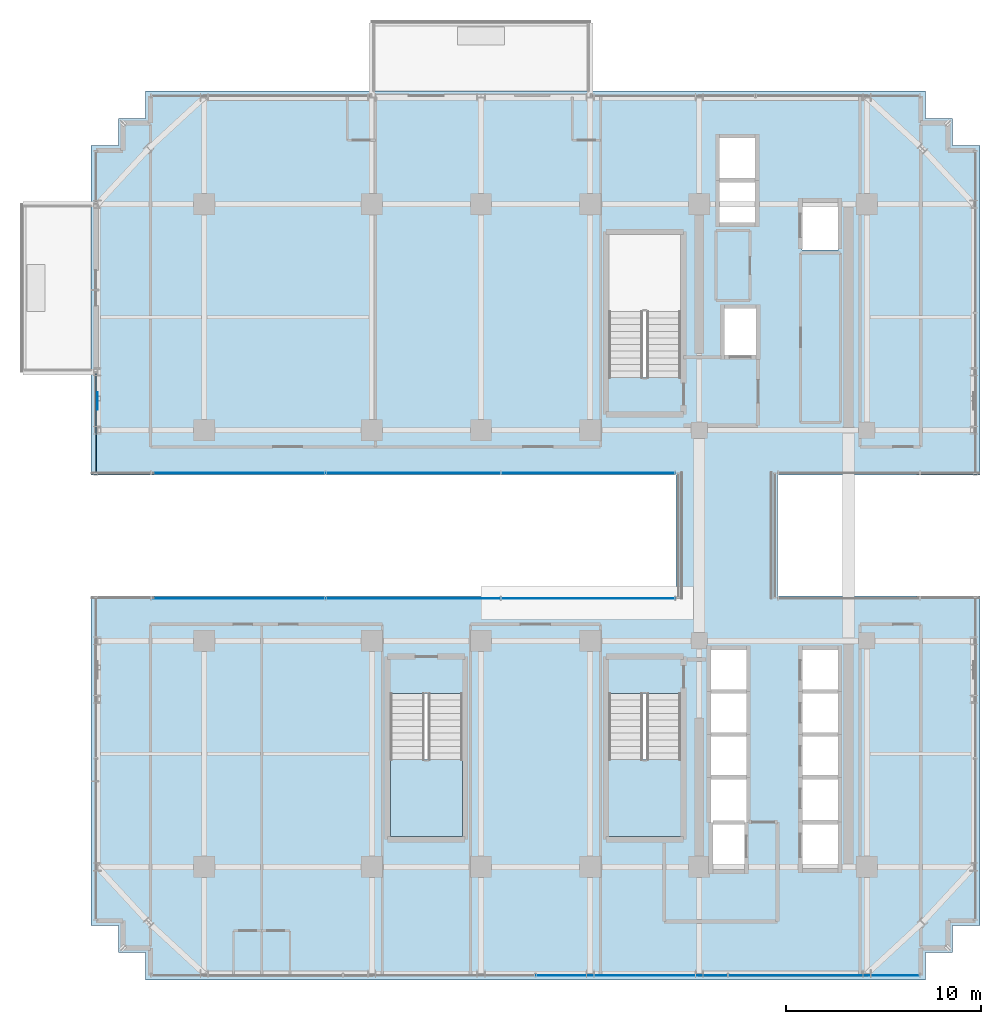
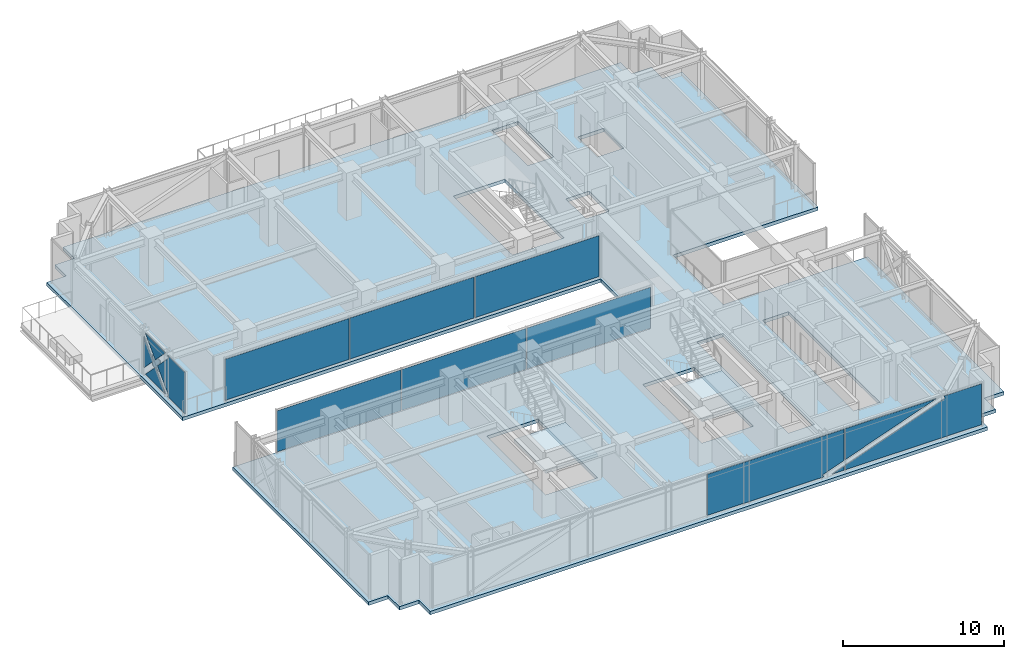
# One storey, part 31 of 43: 10 plates, 3 slabs, 6 elements without a shape of their own.
"""IFC4 building model written with IfcOpenShell, lengths in metres."""

from ifc_helpers import new_model, si_unit, direction, frame, origin, origin_2d, place, context, subcontext, project, spatial, polyline, rectangle, outline, extrude, source, transform, mapped, material, layer, layer_set, type_object, element, aggregate, save


model = new_model("IFC4")

# Units and contexts
model_context = context("Model", 3, precision=1e-05, world=origin(), true_north=direction((0.0, 1.0)))
body_context = subcontext(model_context, "Body", "Model", "MODEL_VIEW")
ifc_project = project(units=[si_unit("LENGTHUNIT", "METRE"), si_unit("AREAUNIT", "SQUARE_METRE"), si_unit("VOLUMEUNIT", "CUBIC_METRE"), si_unit("PLANEANGLEUNIT", "RADIAN"), si_unit("MASSUNIT", "GRAM", prefix="KILO")], contexts=[model_context])

# Site, building, storey
site_placement = place(None, origin())
site = spatial("IfcSite", under=ifc_project, at=site_placement, CompositionType="ELEMENT")
building_placement = place(site_placement, origin())
building = spatial("IfcBuilding", under=site, at=building_placement, Name="Nahalor Promenade Grand Hotel", CompositionType="ELEMENT")
storey_placement = place(building_placement, frame((0.0, 0.0, 181.85009765625)))
storey = spatial("IfcBuildingStorey", under=building, at=storey_placement, Name="L46", CompositionType="ELEMENT", Elevation=181.85009765625)

# Curtain wall, plates
ifc_material_1 = material(Name="Anodised Bronze Aluminium EN AW-6063 T6", Category="aluminium")
curtain_wall_type = type_object("IfcCurtainWallType", Name="CW3 Elliptical-Void Collar Unitised Curtain Wall", PredefinedType="USERDEFINED", material=ifc_material_1)
curtain_wall_1_placement = place(storey_placement, origin())
curtain_wall_1 = element("IfcCurtainWall", 1, at=curtain_wall_1_placement, inside=storey, type_object=curtain_wall_type, Name="L46 Curtain Wall CW-L46-S-1", ObjectType="UNITISED_CURTAIN_WALL", PredefinedType="USERDEFINED")
ifc_material_2 = material(Name="Low-E Laminated Solar Glass", Category="glass")
ifc_layer_1 = layer(ifc_material_2, 0.030029296875)
ifc_layer_set_1 = layer_set([ifc_layer_1], Name="Low-E Laminated Solar Glass")
plate_type_1 = type_object("IfcPlateType", Name="CWP3 High-Wind Laminated Bronze IGU 30mm", PredefinedType="CURTAIN_PANEL", material=ifc_layer_set_1)
plate_1_placement = place(storey_placement, frame((4.93994140625, -22.56005859375, 0.1396484375), z_axis=(0.0, 0.0, 1.0), x_axis=(1.0, 0.0, 0.0)))
plate_1 = element("IfcPlate", 2, at=plate_1_placement, type_object=plate_type_1, Name="CW-L46-S-1 Glazing Panel 2-0", PredefinedType="CURTAIN_PANEL", context=body_context, shape_type="SweptSolid", body=[
    extrude(outline(polyline([(-4.905029296875, 3.110107421875), (-4.905029296875, 0.0), (3.43701171875, 0.0), (3.368896484375, 0.189697265625), (4.905029296875, 0.74169921875), (4.905029296875, 3.110107421875), (-4.905029296875, 3.110107421875)])), frame((0.0, 0.01513671875, 0.0), z_axis=(0.0, -1.0, 0.0), x_axis=(1.0, 0.0, 0.0)), (0.0, 0.0, 1.0), 0.030029296875),
    extrude(outline(polyline([(4.023681640625, 0.0), (4.905029296875, 0.0), (4.905029296875, 0.316650390625), (4.023681640625, 0.0)])), frame((0.0, 0.01513671875, 0.0), z_axis=(0.0, -1.0, 0.0), x_axis=(1.0, 0.0, 0.0)), (0.0, 0.0, 1.0), 0.030029296875),
])
plate_2_placement = place(storey_placement, frame((14.802490234375, -22.56005859375, 0.1396484375), z_axis=(0.0, 0.0, 1.0), x_axis=(1.0, 0.0, 0.0)))
plate_2 = element("IfcPlate", 3, at=plate_2_placement, type_object=plate_type_1, Name="CW-L46-S-1 Glazing Panel 3-0", PredefinedType="CURTAIN_PANEL", context=body_context, shape_type="SweptSolid", body=[
    extrude(outline(polyline([(4.887451171875, 0.0), (4.887451171875, 3.110107421875), (2.220458984375, 3.110107421875), (2.28857421875, 2.920166015625), (-4.887451171875, 0.341796875), (-4.887451171875, 0.0), (4.887451171875, 0.0)])), frame((0.0, 0.01513671875, 0.0), z_axis=(0.0, -1.0, 0.0), x_axis=(1.0, 0.0, 0.0)), (0.0, 0.0, 1.0), 0.030029296875),
    extrude(outline(polyline([(1.6337890625, 3.110107421875), (-4.887451171875, 3.110107421875), (-4.887451171875, 0.766845703125), (1.6337890625, 3.110107421875)])), frame((0.0, 0.01513671875, 0.0), z_axis=(0.0, -1.0, 0.0), x_axis=(1.0, 0.0, 0.0)), (0.0, 0.0, 1.0), 0.030029296875),
])
aggregate(curtain_wall_1, [plate_1, plate_2])

# Curtain wall, plate
curtain_wall_2_placement = place(storey_placement, origin())
curtain_wall_2 = element("IfcCurtainWall", 4, at=curtain_wall_2_placement, inside=storey, type_object=curtain_wall_type, Name="L46 Curtain Wall CW-L46-W-2", ObjectType="UNITISED_CURTAIN_WALL", PredefinedType="USERDEFINED")
plate_3_placement = place(storey_placement, frame((-22.56005859375, 5.75, 0.1396484375), z_axis=(0.0, 0.0, 1.0), x_axis=(0.0, 1.0, 0.0)))
plate_3 = element("IfcPlate", 5, at=plate_3_placement, type_object=plate_type_1, Name="CW-L46-W-2 Glazing Panel 0-0", PredefinedType="CURTAIN_PANEL", context=body_context, shape_type="SweptSolid", body=[
    extrude(outline(polyline([(-2.580078125, 3.110107421875), (-2.580078125, 0.0), (-0.37548828125, 0.0), (-0.510986328125, 0.13134765625), (0.871337890625, 1.554931640625), (-0.510986328125, 2.978515625), (-0.37548828125, 3.110107421875), (-2.580078125, 3.110107421875)])), frame((0.0, 0.01513671875, 0.0), z_axis=(0.0, -1.0, 0.0), x_axis=(1.0, 0.0, 0.0)), (0.0, 0.0, 1.0), 0.030029296875),
    extrude(outline(polyline([(1.14990234375, 1.267822265625), (-0.0810546875, 0.0), (2.380859375, 0.0), (1.14990234375, 1.267822265625)])), frame((0.0, 0.01513671875, 0.0), z_axis=(0.0, -1.0, 0.0), x_axis=(1.0, 0.0, 0.0)), (0.0, 0.0, 1.0), 0.030029296875),
    extrude(outline(polyline([(1.14990234375, 1.842041015625), (2.380859375, 3.110107421875), (-0.0810546875, 3.110107421875), (1.14990234375, 1.842041015625)])), frame((0.0, 0.01513671875, 0.0), z_axis=(0.0, -1.0, 0.0), x_axis=(1.0, 0.0, 0.0)), (0.0, 0.0, 1.0), 0.030029296875),
    extrude(outline(polyline([(1.4287109375, 1.554931640625), (2.580078125, 0.369140625), (2.580078125, 2.74072265625), (1.4287109375, 1.554931640625)])), frame((0.0, 0.01513671875, 0.0), z_axis=(0.0, -1.0, 0.0), x_axis=(1.0, 0.0, 0.0)), (0.0, 0.0, 1.0), 0.030029296875),
])
aggregate(curtain_wall_2, [plate_3])

# Stair, slab
ifc_material_3 = material(Name="Concrete B-50 (C40/50)", Category="concrete")
stair_type_1 = type_object("IfcStairType", Name="Stair-ST2", PredefinedType="HALF_TURN_STAIR", material=ifc_material_3)
stair_1_placement = place(storey_placement, origin())
stair_1 = element("IfcStair", 6, at=stair_1_placement, inside=storey, type_object=stair_type_1, Name="L46 ST2", PredefinedType="HALF_TURN_STAIR")
ifc_layer_2 = layer(ifc_material_3, 0.2099609375)
ifc_layer_set_2 = layer_set([ifc_layer_2], Name="Concrete B-50 (C40/50)")
slab_type_1 = type_object("IfcSlabType", Name="Landing-ST2", PredefinedType="LANDING", material=ifc_layer_set_2)
slab_1_placement = place(storey_placement, frame((0.0, 0.0, 1.614990234375)))
slab_1 = element("IfcSlab", 7, at=slab_1_placement, type_object=slab_type_1, Name="ST2 landing 1", PredefinedType="LANDING", context=body_context, shape_type="SweptSolid", body=[
    extrude(outline(polyline([(3.75, -11.5), (3.75, -15.449951171875), (7.449951171875, -15.449951171875), (7.449951171875, -11.5), (3.75, -11.5)])), origin(), (0.0, 0.0, 1.0), 0.2099609375),
])
aggregate(stair_1, [slab_1])

stair_type_2 = type_object("IfcStairType", Name="Stair-ST3", PredefinedType="HALF_TURN_STAIR", material=ifc_material_3)
stair_2_placement = place(storey_placement, origin())
stair_2 = element("IfcStair", 8, at=stair_2_placement, inside=storey, type_object=stair_type_2, Name="L46 ST3", PredefinedType="HALF_TURN_STAIR")
ifc_layer_3 = layer(ifc_material_3, 0.219970703125)
ifc_layer_set_3 = layer_set([ifc_layer_3], Name="Concrete B-50 (C40/50)")
slab_type_2 = type_object("IfcSlabType", Name="Landing-ST3", PredefinedType="LANDING", material=ifc_layer_set_3)
slab_2_placement = place(storey_placement, frame((0.0, 0.0, 1.60498046875)))
slab_2 = element("IfcSlab", 9, at=slab_2_placement, type_object=slab_type_2, Name="ST3 landing 1", PredefinedType="LANDING", context=body_context, shape_type="SweptSolid", body=[
    extrude(outline(polyline([(-7.449951171875, -11.5), (-7.449951171875, -15.449951171875), (-3.75, -15.449951171875), (-3.75, -11.5), (-7.449951171875, -11.5)])), origin(), (0.0, 0.0, 1.0), 0.219970703125),
])
aggregate(stair_2, [slab_2])

# Slab
ifc_layer_4 = layer(ifc_material_3, 0.260009765625)
ifc_layer_set_4 = layer_set([ifc_layer_4], Name="Concrete B-50 (C40/50)")
slab_type_3 = type_object("IfcSlabType", Name="Slab-TowerZ3-260", PredefinedType="FLOOR", material=ifc_layer_set_4)
slab_3_placement = place(storey_placement, frame((0.0, 0.0, -0.260009765625)))
element("IfcSlab", 10, at=slab_3_placement, inside=storey, type_object=slab_type_3, Name="L46 Suspended Structural Floor Slab", PredefinedType="FLOOR", context=body_context, shape_type="SweptSolid", body=[
    extrude(outline(polyline([(-20.0, -22.800048828125), (20.0, -22.800048828125), (20.0, -21.39990234375), (21.39990234375, -21.39990234375), (21.39990234375, -20.0), (22.800048828125, -20.0), (22.800048828125, -3.10009765625), (12.39990234375, -3.10009765625), (12.39990234375, 3.10009765625), (22.800048828125, 3.10009765625), (22.800048828125, 20.0), (21.39990234375, 20.0), (21.39990234375, 21.39990234375), (20.0, 21.39990234375), (20.0, 22.800048828125), (-20.0, 22.800048828125), (-20.0, 21.39990234375), (-21.39990234375, 21.39990234375), (-21.39990234375, 20.0), (-22.800048828125, 20.0), (-22.800048828125, 3.10009765625), (7.199951171875, 3.10009765625), (7.199951171875, -3.10009765625), (-22.800048828125, -3.10009765625), (-22.800048828125, -20.0), (-21.39990234375, -20.0), (-21.39990234375, -21.39990234375), (-20.0, -21.39990234375), (-20.0, -22.800048828125)]), holes=[polyline([(3.75, 8.10009765625), (7.449951171875, 8.10009765625), (7.449951171875, 15.449951171875), (3.75, 15.449951171875), (3.75, 8.10009765625)]), polyline([(3.75, -15.449951171875), (7.449951171875, -15.449951171875), (7.449951171875, -8.10009765625), (3.75, -8.10009765625), (3.75, -15.449951171875)]), polyline([(-7.449951171875, -15.449951171875), (-3.75, -15.449951171875), (-3.75, -8.10009765625), (-7.449951171875, -8.10009765625), (-7.449951171875, -15.449951171875)]), polyline([(13.659912109375, -17.139892578125), (15.5400390625, -17.139892578125), (15.5400390625, -5.81005859375), (13.659912109375, -5.81005859375), (13.659912109375, -17.139892578125)]), polyline([(8.9599609375, -17.18994140625), (10.840087890625, -17.18994140625), (10.840087890625, -5.81005859375), (8.9599609375, -5.81005859375), (8.9599609375, -17.18994140625)]), polyline([(9.409912109375, 16.010009765625), (11.2900390625, 16.010009765625), (11.2900390625, 20.43994140625), (9.409912109375, 20.43994140625), (9.409912109375, 16.010009765625)]), polyline([(9.659912109375, 9.2099609375), (11.340087890625, 9.2099609375), (11.340087890625, 11.68994140625), (9.659912109375, 11.68994140625), (9.659912109375, 9.2099609375)]), polyline([(13.659912109375, 14.659912109375), (15.5400390625, 14.659912109375), (15.5400390625, 17.139892578125), (13.659912109375, 17.139892578125), (13.659912109375, 14.659912109375)])]), origin(), (0.0, 0.0, 1.0), 0.260009765625),
])

# Plate
ifc_material_4 = material(Name="Steel S355J2", Category="steel")
ifc_layer_5 = layer(ifc_material_4, 0.035888671875)
ifc_layer_set_5 = layer_set([ifc_layer_5], Name="Steel S355J2")
plate_type_2 = type_object("IfcPlateType", Name="Plate-CrossGusset-36", PredefinedType="USERDEFINED", material=ifc_layer_set_5)
shared_shape_1 = source(origin(), body_context, "Body", "SweptSolid", [
    extrude(rectangle(XDim=0.89990234375, YDim=0.035888671875, at=origin_2d()), origin(), (0.0, 0.0, 1.0), 0.89990234375),
])
plate_4_placement = place(storey_placement, frame((-22.47998046875, 6.89990234375, 1.244873046875), z_axis=(0.0, 0.0, 1.0), x_axis=(0.0, 1.0, 0.0)))
element("IfcPlate", 11, at=plate_4_placement, inside=storey, type_object=plate_type_2, Name="PL-L46-VXX-W1", ObjectType="GUSSET_PLATE", PredefinedType="USERDEFINED", context=body_context, shape_type="MappedRepresentation", body=[
    mapped(shared_shape_1, transform((0.0, 0.0, 0.0), scale=1.0)),
])

# Curtain wall, plates
curtain_wall_3_placement = place(storey_placement, origin())
curtain_wall_3 = element("IfcCurtainWall", 12, at=curtain_wall_3_placement, inside=storey, type_object=curtain_wall_type, Name="L46 Curtain Wall CW-L46-VOID-WS1", ObjectType="UNITISED_CURTAIN_WALL", PredefinedType="USERDEFINED")
shared_shape_2 = source(origin(), body_context, "Body", "SweptSolid", [
    extrude(rectangle(XDim=8.881591796875, YDim=0.030029296875, at=origin_2d()), origin(), (0.0, 0.0, 1.0), 3.110107421875),
])
plate_5_placement = place(storey_placement, frame((-15.249267578125, -3.219970703125, 0.1396484375), z_axis=(0.0, 0.0, 1.0), x_axis=(1.0, 0.0, 0.0)))
plate_5 = element("IfcPlate", 13, at=plate_5_placement, type_object=plate_type_1, Name="CW-L46-VOID-WS1 Glazing Panel 0-0", PredefinedType="CURTAIN_PANEL", context=body_context, shape_type="MappedRepresentation", body=[
    mapped(shared_shape_2, transform((0.0, 0.0, 0.0), scale=1.0)),
])
plate_6_placement = place(storey_placement, frame((2.689208984375, -3.219970703125, 0.1396484375), z_axis=(0.0, 0.0, 1.0), x_axis=(1.0, 0.0, 0.0)))
plate_6 = element("IfcPlate", 14, at=plate_6_placement, type_object=plate_type_1, Name="CW-L46-VOID-WS1 Glazing Panel 2-0", PredefinedType="CURTAIN_PANEL", context=body_context, shape_type="MappedRepresentation", body=[
    mapped(shared_shape_2, transform((0.0, 0.0, 0.0), scale=1.0)),
])

curtain_wall_4_placement = place(storey_placement, origin())
curtain_wall_4 = element("IfcCurtainWall", 15, at=curtain_wall_4_placement, inside=storey, type_object=curtain_wall_type, Name="L46 Curtain Wall CW-L46-VOID-WN1", ObjectType="UNITISED_CURTAIN_WALL", PredefinedType="USERDEFINED")
plate_7_placement = place(storey_placement, frame((-15.249267578125, 3.219970703125, 0.1396484375), z_axis=(0.0, 0.0, 1.0), x_axis=(1.0, 0.0, 0.0)))
plate_7 = element("IfcPlate", 16, at=plate_7_placement, type_object=plate_type_1, Name="CW-L46-VOID-WN1 Glazing Panel 0-0", PredefinedType="CURTAIN_PANEL", context=body_context, shape_type="MappedRepresentation", body=[
    mapped(shared_shape_2, transform((0.0, 0.0, 0.0), scale=1.0)),
])
plate_8_placement = place(storey_placement, frame((2.689208984375, 3.219970703125, 0.1396484375), z_axis=(0.0, 0.0, 1.0), x_axis=(1.0, 0.0, 0.0)))
plate_8 = element("IfcPlate", 17, at=plate_8_placement, type_object=plate_type_1, Name="CW-L46-VOID-WN1 Glazing Panel 2-0", PredefinedType="CURTAIN_PANEL", context=body_context, shape_type="MappedRepresentation", body=[
    mapped(shared_shape_2, transform((0.0, 0.0, 0.0), scale=1.0)),
])

# Plate
shared_shape_3 = source(origin(), body_context, "Body", "SweptSolid", [
    extrude(rectangle(XDim=8.916748046875, YDim=0.030029296875, at=origin_2d()), origin(), (0.0, 0.0, 1.0), 3.110107421875),
])
plate_9_placement = place(storey_placement, frame((-6.280029296875, -3.219970703125, 0.1396484375), z_axis=(0.0, 0.0, 1.0), x_axis=(1.0, 0.0, 0.0)))
plate_9 = element("IfcPlate", 18, at=plate_9_placement, type_object=plate_type_1, Name="CW-L46-VOID-WS1 Glazing Panel 1-0", PredefinedType="CURTAIN_PANEL", context=body_context, shape_type="MappedRepresentation", body=[
    mapped(shared_shape_3, transform((0.0, 0.0, 0.0), scale=1.0)),
])

aggregate(curtain_wall_3, [plate_5, plate_9, plate_6])

plate_10_placement = place(storey_placement, frame((-6.280029296875, 3.219970703125, 0.1396484375), z_axis=(0.0, 0.0, 1.0), x_axis=(1.0, 0.0, 0.0)))
plate_10 = element("IfcPlate", 19, at=plate_10_placement, type_object=plate_type_1, Name="CW-L46-VOID-WN1 Glazing Panel 1-0", PredefinedType="CURTAIN_PANEL", context=body_context, shape_type="MappedRepresentation", body=[
    mapped(shared_shape_3, transform((0.0, 0.0, 0.0), scale=1.0)),
])

aggregate(curtain_wall_4, [plate_7, plate_10, plate_8])

save(model, "model.ifc")
